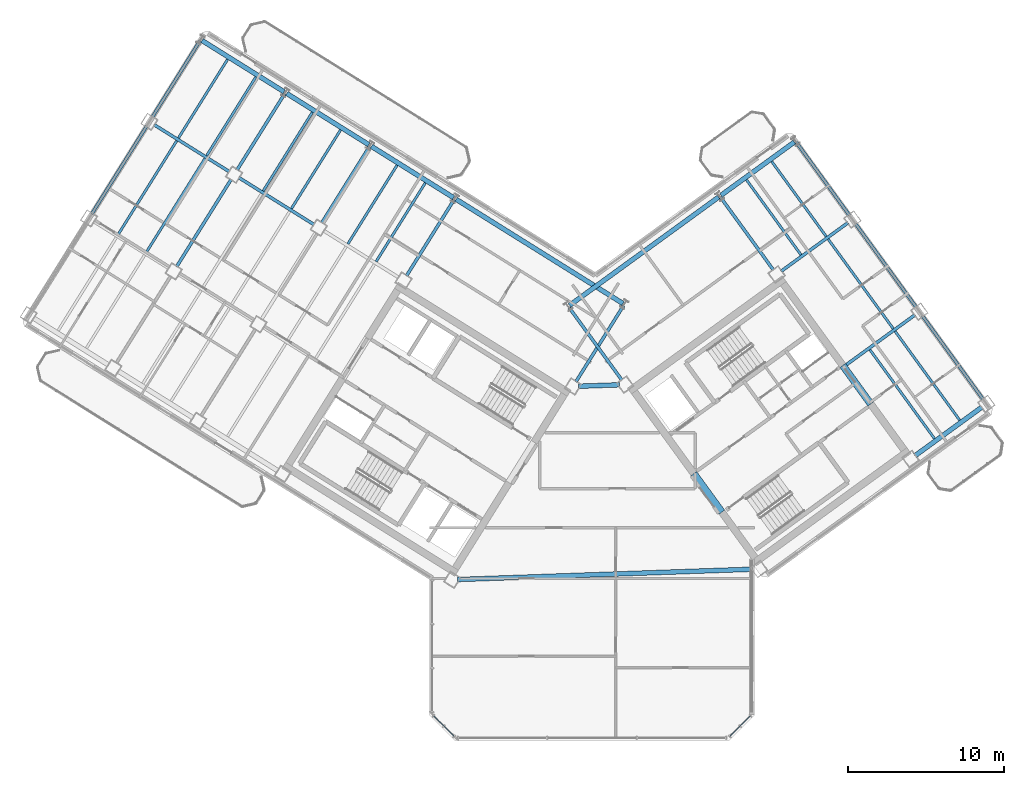
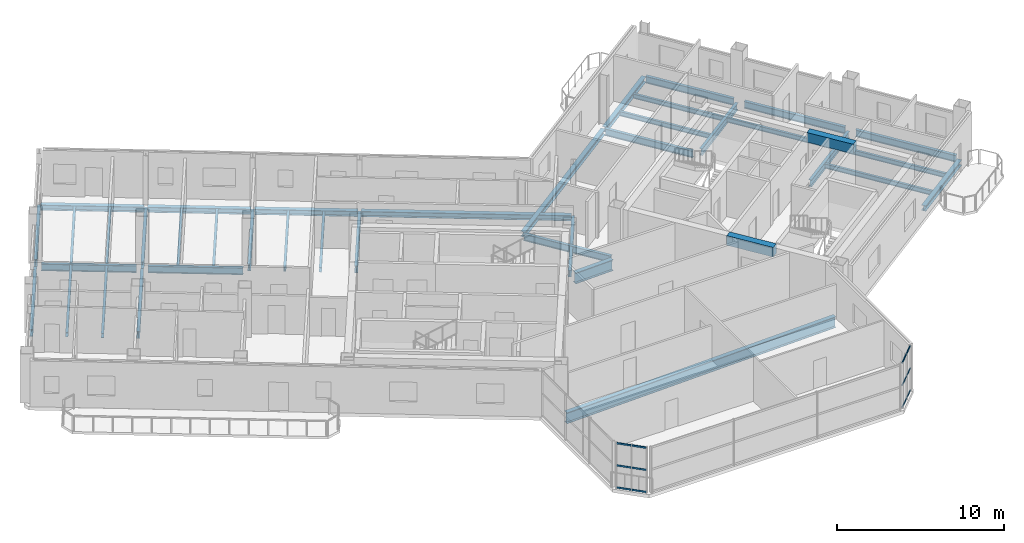
# One storey, part 7 of 21: 40 beams, 12 members, 2 elements without a shape of their own.
"""IFC4 building model written with IfcOpenShell, lengths in metres."""

from ifc_helpers import new_model, si_unit, direction, frame, origin, origin_2d, place, context, subcontext, project, spatial, rectangle, hollow_rectangle, i_section, extrude, source, transform, mapped, material, material_profile, profile_set, type_object, element, aggregate, save


model = new_model("IFC4")

# Units and contexts
model_context = context("Model", 3, precision=1e-05, world=origin(), true_north=direction((0.0, 1.0)))
body_context = subcontext(model_context, "Body", "Model", "MODEL_VIEW")
ifc_project = project(units=[si_unit("LENGTHUNIT", "METRE"), si_unit("AREAUNIT", "SQUARE_METRE"), si_unit("VOLUMEUNIT", "CUBIC_METRE"), si_unit("PLANEANGLEUNIT", "RADIAN"), si_unit("MASSUNIT", "GRAM", prefix="KILO")], contexts=[model_context])

# Site, building, storey
site_placement = place(None, origin())
site = spatial("IfcSite", under=ifc_project, at=site_placement, CompositionType="ELEMENT")
building_placement = place(site_placement, origin())
building = spatial("IfcBuilding", under=site, at=building_placement, Name="Tlacorven Tower", CompositionType="ELEMENT")
storey_placement = place(building_placement, frame((0.0, 0.0, 214.800048828125)))
storey = spatial("IfcBuildingStorey", under=building, at=storey_placement, Name="L54", CompositionType="ELEMENT", Elevation=214.800048828125)

# Beams
ifc_material_1 = material(Name="Concrete C60/75", Category="concrete")
ifc_material_profile_1 = material_profile(ifc_material_1, rectangle(XDim=0.449951171875, YDim=0.699951171875, at=origin_2d()), Name="RC 450X700")
ifc_profile_set_1 = profile_set([ifc_material_profile_1], Name="Concrete C60/75")
beam_type_1 = type_object("IfcBeamType", Name="BM-LNT-700", PredefinedType="LINTEL", material=ifc_profile_set_1)
shared_shape_1 = source(origin(), body_context, "Body", "SweptSolid", [
    extrude(rectangle(XDim=0.449951171875, YDim=0.699951171875, at=origin_2d()), origin(), (0.0, 0.0, 1.0), 3.050048828125),
])
for number, where, z_axis, x_axis, name in (
    (1, (50.318359375, 16.416015625, 3.0), (-0.587776590479, 0.80902328748, 0.0), (-0.80902328748, -0.587776590479, 0.0), "L54 E core coupling lintel beam E1"),
    (2, (59.856689453125, 23.345947265625, 3.0), (-0.587776590479, 0.80902328748, 0.0), (-0.80902328748, -0.587776590479, 0.0), "L54 E core coupling lintel beam E2"),
):
    element("IfcBeam", number, at=place(storey_placement, frame(where, z_axis=z_axis, x_axis=x_axis)), inside=storey, type_object=beam_type_1, Name=name, PredefinedType="LINTEL", context=body_context, shape_type="MappedRepresentation", body=[
        mapped(shared_shape_1, transform((0.0, 0.0, 0.0), scale=1.0)),
    ])
ifc_material_2 = material(Name="Steel S355J2", Category="steel")
ifc_material_profile_2 = material_profile(ifc_material_2, i_section(OverallWidth=0.300048828125, OverallDepth=0.800048828125, WebThickness=0.017578125, FlangeThickness=0.032958984375, at=origin_2d()), Name="HEB 800")
ifc_profile_set_2 = profile_set([ifc_material_profile_2], Name="Steel S355J2")
beam_type_2 = type_object("IfcBeamType", Name="BM-POD-800", PredefinedType="BEAM", material=ifc_profile_set_2)
shared_shape_2 = source(origin(), body_context, "Body", "SweptSolid", [
    extrude(i_section(OverallWidth=0.300048828125, OverallDepth=0.800048828125, WebThickness=0.017578125, FlangeThickness=0.032958984375, at=origin_2d()), origin(), (0.0, 0.0, 1.0), 2.642822265625),
])
beam_1_placement = place(storey_placement, frame((41.1328125, 24.480712890625, -0.650146484375), z_axis=(0.999393314814, 0.034828182629, 0.0), x_axis=(-0.034828182629, 0.999393314814, 0.0)))
element("IfcBeam", 3, at=beam_1_placement, inside=storey, type_object=beam_type_2, Name="L54 Knuckle Link Girder 1", PredefinedType="BEAM", context=body_context, shape_type="MappedRepresentation", body=[
    mapped(shared_shape_2, transform((0.0, 0.0, 0.0), scale=1.0)),
])
ifc_material_profile_3 = material_profile(ifc_material_2, i_section(OverallWidth=0.199951171875, OverallDepth=0.5, WebThickness=0.01025390625, FlangeThickness=0.01611328125, at=origin_2d()), Name="IPE 500")
ifc_profile_set_3 = profile_set([ifc_material_profile_3], Name="Steel S355J2")
beam_type_3 = type_object("IfcBeamType", Name="BM-TWR-500", PredefinedType="BEAM", material=ifc_profile_set_3)
shared_shape_3 = source(origin(), body_context, "Body", "SweptSolid", [
    extrude(i_section(OverallWidth=0.199951171875, OverallDepth=0.5, WebThickness=0.01025390625, FlangeThickness=0.01611328125, at=origin_2d()), origin(), (0.0, 0.0, 1.0), 5.7001953125),
])
for number, where, z_axis, x_axis, name in (
    (4, (24.20361328125, 34.828369140625, -0.5), (-0.848056048787, 0.529906537151, 0.0), (-0.529906537151, -0.848056048787, 0.0), "L54 beam BM-L54-WL2-4"),
    (5, (18.776123046875, 38.2197265625, -0.5), (-0.848056048787, 0.529906537151, 0.0), (-0.529906537151, -0.848056048787, 0.0), "L54 beam BM-L54-WL2-5"),
):
    element("IfcBeam", number, at=place(storey_placement, frame(where, z_axis=z_axis, x_axis=x_axis)), inside=storey, type_object=beam_type_3, Name=name, PredefinedType="BEAM", context=body_context, shape_type="MappedRepresentation", body=[
        mapped(shared_shape_3, transform((0.0, 0.0, 0.0), scale=1.0)),
    ])
shared_shape_4 = source(origin(), body_context, "Body", "SweptSolid", [
    extrude(i_section(OverallWidth=0.199951171875, OverallDepth=0.5, WebThickness=0.01025390625, FlangeThickness=0.01611328125, at=origin_2d()), origin(), (0.0, 0.0, 1.0), 5.75),
])
for number, where, z_axis, x_axis, name in (
    (6, (44.015380859375, 29.6416015625, -0.5), (-0.529884439831, -0.848069855864, 0.0), (0.848069855864, -0.529884439831, 0.0), "L54 beam BM-L54-WT1-1"),
    (7, (33.160400390625, 36.424560546875, -0.5), (-0.529884439831, -0.848069855864, 0.0), (0.848069855864, -0.529884439831, 0.0), "L54 beam BM-L54-WT3-1"),
    (8, (27.73291015625, 39.81591796875, -0.5), (-0.529934056882, -0.848038852504, 0.0), (0.848038852504, -0.529934056882, 0.0), "L54 beam BM-L54-WT4-1"),
    (9, (16.8779296875, 46.598876953125, -0.5), (-0.529934056882, -0.848038852504, 0.0), (0.848038852504, -0.529934056882, 0.0), "L54 beam BM-L54-WT6-1"),
    (10, (43.91796875, 24.8681640625, -0.5), (-0.587770208527, 0.809027924097, 0.0), (-0.809027924097, -0.587770208527, 0.0), "L54 beam BM-L54-ET1-2"),
    (11, (53.626220703125, 31.921630859375, -0.5), (-0.587770208527, 0.809027924097, 0.0), (-0.809027924097, -0.587770208527, 0.0), "L54 beam BM-L54-ET3-2"),
    (12, (58.480224609375, 35.4482421875, -0.5), (-0.587770208527, 0.809027924097, 0.0), (-0.809027924097, -0.587770208527, 0.0), "L54 beam BM-L54-ET4-3"),
):
    element("IfcBeam", number, at=place(storey_placement, frame(where, z_axis=z_axis, x_axis=x_axis)), inside=storey, type_object=beam_type_3, Name=name, PredefinedType="BEAM", context=body_context, shape_type="MappedRepresentation", body=[
        mapped(shared_shape_4, transform((0.0, 0.0, 0.0), scale=1.0)),
    ])
shared_shape_5 = source(origin(), body_context, "Body", "SweptSolid", [
    extrude(i_section(OverallWidth=0.199951171875, OverallDepth=0.5, WebThickness=0.01025390625, FlangeThickness=0.01611328125, at=origin_2d()), origin(), (0.0, 0.0, 1.0), 6.599853515625),
])
beam_2_placement = place(storey_placement, frame((13.4599609375, 41.12890625, -0.5), z_axis=(-0.529942412256, -0.848033631227, 0.0), x_axis=(0.848033631227, -0.529942412256, 0.0)))
element("IfcBeam", 13, at=beam_2_placement, inside=storey, type_object=beam_type_3, Name="L54 beam BM-L54-WT6-2", PredefinedType="BEAM", context=body_context, shape_type="MappedRepresentation", body=[
    mapped(shared_shape_5, transform((0.0, 0.0, 0.0), scale=1.0)),
])
shared_shape_6 = source(origin(), body_context, "Body", "SweptSolid", [
    extrude(i_section(OverallWidth=0.199951171875, OverallDepth=0.5, WebThickness=0.01025390625, FlangeThickness=0.01611328125, at=origin_2d()), origin(), (0.0, 0.0, 1.0), 6.60009765625),
])
for number, where, z_axis, x_axis, name in (
    (14, (18.887451171875, 37.737548828125, -0.5), (-0.529925788294, -0.848044019436, 0.0), (0.848044019436, -0.529925788294, 0.0), "L54 beam BM-L54-WT5-2"),
    (15, (67.06201171875, 23.63671875, -0.5), (-0.587780128583, 0.809020716943, 0.0), (-0.809020716943, -0.587780128583, 0.0), "L54 beam BM-L54-ET4-1"),
    (16, (62.771240234375, 29.54248046875, -0.5), (-0.587780128583, 0.809020716943, 0.0), (-0.809020716943, -0.587780128583, 0.0), "L54 beam BM-L54-ET4-2"),
):
    element("IfcBeam", number, at=place(storey_placement, frame(where, z_axis=z_axis, x_axis=x_axis)), inside=storey, type_object=beam_type_3, Name=name, PredefinedType="BEAM", context=body_context, shape_type="MappedRepresentation", body=[
        mapped(shared_shape_6, transform((0.0, 0.0, 0.0), scale=1.0)),
    ])
shared_shape_7 = source(origin(), body_context, "Body", "SweptSolid", [
    extrude(i_section(OverallWidth=0.199951171875, OverallDepth=0.5, WebThickness=0.01025390625, FlangeThickness=0.01611328125, at=origin_2d()), origin(), (0.0, 0.0, 1.0), 5.750244140625),
])
beam_3_placement = place(storey_placement, frame((22.305419921875, 43.20751953125, -0.5), z_axis=(-0.529914976044, -0.848050775699, 0.0), x_axis=(0.848050775699, -0.529914976044, 0.0)))
element("IfcBeam", 17, at=beam_3_placement, inside=storey, type_object=beam_type_3, Name="L54 beam BM-L54-WT5-1", PredefinedType="BEAM", context=body_context, shape_type="MappedRepresentation", body=[
    mapped(shared_shape_7, transform((0.0, 0.0, 0.0), scale=1.0)),
])
shared_shape_8 = source(origin(), body_context, "Body", "SweptSolid", [
    extrude(i_section(OverallWidth=0.199951171875, OverallDepth=0.5, WebThickness=0.01025390625, FlangeThickness=0.01611328125, at=origin_2d()), origin(), (0.0, 0.0, 1.0), 5.300048828125),
])
beam_4_placement = place(storey_placement, frame((54.114990234375, 31.84423828125, -0.5), z_axis=(0.809022830186, 0.587777219904, 0.0), x_axis=(-0.587777219904, 0.809022830186, 0.0)))
element("IfcBeam", 18, at=beam_4_placement, inside=storey, type_object=beam_type_3, Name="L54 beam BM-L54-EL3-3", PredefinedType="BEAM", context=body_context, shape_type="MappedRepresentation", body=[
    mapped(shared_shape_8, transform((0.0, 0.0, 0.0), scale=1.0)),
])
shared_shape_9 = source(origin(), body_context, "Body", "SweptSolid", [
    extrude(i_section(OverallWidth=0.199951171875, OverallDepth=0.5, WebThickness=0.01025390625, FlangeThickness=0.01611328125, at=origin_2d()), origin(), (0.0, 0.0, 1.0), 5.6103515625),
])
beam_5_placement = place(storey_placement, frame((58.155029296875, 25.756103515625, -0.5), z_axis=(0.809020142627, 0.587780919071, 0.0), x_axis=(-0.587780919071, 0.809020142627, 0.0)))
element("IfcBeam", 19, at=beam_5_placement, inside=storey, type_object=beam_type_3, Name="L54 beam BM-L54-EL2-3", PredefinedType="BEAM", context=body_context, shape_type="MappedRepresentation", body=[
    mapped(shared_shape_9, transform((0.0, 0.0, 0.0), scale=1.0)),
])
shared_shape_10 = source(origin(), body_context, "Body", "SweptSolid", [
    extrude(i_section(OverallWidth=0.300048828125, OverallDepth=0.800048828125, WebThickness=0.017578125, FlangeThickness=0.032958984375, at=origin_2d()), origin(), (0.0, 0.0, 1.0), 18.97119140625),
])
beam_6_placement = place(storey_placement, frame((33.39599609375, 12.09912109375, -0.650146484375), z_axis=(0.999390787537, 0.034900627304, 0.0), x_axis=(-0.034900627304, 0.999390787537, 0.0)))
element("IfcBeam", 20, at=beam_6_placement, inside=storey, type_object=beam_type_2, Name="L54 Knuckle Link Girder 2", PredefinedType="BEAM", context=body_context, shape_type="MappedRepresentation", body=[
    mapped(shared_shape_10, transform((0.0, 0.0, 0.0), scale=1.0)),
])
ifc_material_profile_4 = material_profile(ifc_material_2, i_section(OverallWidth=0.159912109375, OverallDepth=0.330078125, WebThickness=0.007568359375, FlangeThickness=0.011474609375, at=origin_2d()), Name="IPE 330")
ifc_profile_set_4 = profile_set([ifc_material_profile_4], Name="Steel S355J2")
beam_type_4 = type_object("IfcBeamType", Name="BM-JST-330", PredefinedType="JOIST", material=ifc_profile_set_4)
shared_shape_11 = source(origin(), body_context, "Body", "SweptSolid", [
    extrude(i_section(OverallWidth=0.159912109375, OverallDepth=0.330078125, WebThickness=0.007568359375, FlangeThickness=0.011474609375, at=origin_2d()), origin(), (0.0, 0.0, 1.0), 7.0400390625),
])
beam_7_placement = place(storey_placement, frame((63.9404296875, 21.127685546875, -0.4150390625), z_axis=(-0.587773661987, 0.809025415098, 0.0), x_axis=(-0.809025415098, -0.587773661987, 0.0)))
element("IfcBeam", 21, at=beam_7_placement, inside=storey, type_object=beam_type_4, Name="L54 beam BM-L54-EJ3-1-1", PredefinedType="JOIST", context=body_context, shape_type="MappedRepresentation", body=[
    mapped(shared_shape_11, transform((0.0, 0.0, 0.0), scale=1.0)),
])
shared_shape_12 = source(origin(), body_context, "Body", "SweptSolid", [
    extrude(i_section(OverallWidth=0.159912109375, OverallDepth=0.330078125, WebThickness=0.007568359375, FlangeThickness=0.011474609375, at=origin_2d()), origin(), (0.0, 0.0, 1.0), 5.940185546875),
])
for number, where, z_axis, x_axis, name in (
    (22, (29.512939453125, 38.638916015625, -0.4150390625), (-0.529902882565, -0.848058332339, 0.0), (0.848058332339, -0.529902882565, 0.0), "L54 beam BM-L54-WJ3-1-2"),
    (23, (25.894775390625, 40.899658203125, -0.4150390625), (-0.529950911506, -0.848028319924, 0.0), (0.848028319924, -0.529950911506, 0.0), "L54 beam BM-L54-WJ4-1-1"),
    (24, (18.657958984375, 45.421875, -0.4150390625), (-0.529902882565, -0.848058332339, 0.0), (0.848058332339, -0.529902882565, 0.0), "L54 beam BM-L54-WJ5-1-2"),
    (25, (55.38818359375, 32.89892578125, -0.4150390625), (-0.587778174144, 0.809022136903, 0.0), (-0.809022136903, -0.587778174144, 0.0), "L54 beam BM-L54-EJ3-3-1"),
    (26, (57.00634765625, 34.074462890625, -0.4150390625), (-0.587778174144, 0.809022136903, 0.0), (-0.809022136903, -0.587778174144, 0.0), "L54 beam BM-L54-EJ3-3-2"),
):
    element("IfcBeam", number, at=place(storey_placement, frame(where, z_axis=z_axis, x_axis=x_axis)), inside=storey, type_object=beam_type_4, Name=name, PredefinedType="JOIST", context=body_context, shape_type="MappedRepresentation", body=[
        mapped(shared_shape_12, transform((0.0, 0.0, 0.0), scale=1.0)),
    ])
shared_shape_13 = source(origin(), body_context, "Body", "SweptSolid", [
    extrude(i_section(OverallWidth=0.159912109375, OverallDepth=0.330078125, WebThickness=0.007568359375, FlangeThickness=0.011474609375, at=origin_2d()), origin(), (0.0, 0.0, 1.0), 7.090087890625),
])
for number, where, z_axis, x_axis, name in (
    (27, (17.208251953125, 39.07568359375, -0.4150390625), (-0.529937035031, -0.848036991471, 0.0), (0.848036991471, -0.529937035031, 0.0), "L54 beam BM-L54-WJ5-2-1"),
    (28, (15.39892578125, 40.206298828125, -0.4150390625), (-0.529912270669, -0.84805246618, 0.0), (0.84805246618, -0.529912270669, 0.0), "L54 beam BM-L54-WJ5-2-2"),
    (29, (61.297119140625, 28.168701171875, -0.4150390625), (-0.587782622309, 0.809018905164, 0.0), (-0.809018905164, -0.587782622309, 0.0), "L54 beam BM-L54-EJ3-2-2"),
):
    element("IfcBeam", number, at=place(storey_placement, frame(where, z_axis=z_axis, x_axis=x_axis)), inside=storey, type_object=beam_type_4, Name=name, PredefinedType="JOIST", context=body_context, shape_type="MappedRepresentation", body=[
        mapped(shared_shape_13, transform((0.0, 0.0, 0.0), scale=1.0)),
    ])
shared_shape_14 = source(origin(), body_context, "Body", "SweptSolid", [
    extrude(i_section(OverallWidth=0.159912109375, OverallDepth=0.330078125, WebThickness=0.007568359375, FlangeThickness=0.011474609375, at=origin_2d()), origin(), (0.0, 0.0, 1.0), 5.93994140625),
])
for number, where, z_axis, x_axis, name in (
    (30, (31.322265625, 37.50830078125, -0.4150390625), (-0.529921352973, -0.848046790963, 0.0), (0.848046790963, -0.529921352973, 0.0), "L54 beam BM-L54-WJ3-1-1"),
    (31, (24.08544921875, 42.0302734375, -0.4150390625), (-0.529921352973, -0.848046790963, 0.0), (0.848046790963, -0.529921352973, 0.0), "L54 beam BM-L54-WJ4-1-2"),
    (32, (20.467041015625, 44.291259765625, -0.4150390625), (-0.529921352973, -0.848046790963, 0.0), (0.848046790963, -0.529921352973, 0.0), "L54 beam BM-L54-WJ5-1-1"),
):
    element("IfcBeam", number, at=place(storey_placement, frame(where, z_axis=z_axis, x_axis=x_axis)), inside=storey, type_object=beam_type_4, Name=name, PredefinedType="JOIST", context=body_context, shape_type="MappedRepresentation", body=[
        mapped(shared_shape_14, transform((0.0, 0.0, 0.0), scale=1.0)),
    ])
shared_shape_15 = source(origin(), body_context, "Body", "SweptSolid", [
    extrude(i_section(OverallWidth=0.159912109375, OverallDepth=0.330078125, WebThickness=0.007568359375, FlangeThickness=0.011474609375, at=origin_2d()), origin(), (0.0, 0.0, 1.0), 7.039794921875),
])
beam_8_placement = place(storey_placement, frame((65.55859375, 22.303466796875, -0.4150390625), z_axis=(-0.587790152999, 0.809013433781, 0.0), x_axis=(-0.809013433781, -0.587790152999, 0.0)))
element("IfcBeam", 33, at=beam_8_placement, inside=storey, type_object=beam_type_4, Name="L54 beam BM-L54-EJ3-1-2", PredefinedType="JOIST", context=body_context, shape_type="MappedRepresentation", body=[
    mapped(shared_shape_15, transform((0.0, 0.0, 0.0), scale=1.0)),
])
ifc_material_profile_5 = material_profile(ifc_material_2, i_section(OverallWidth=0.300048828125, OverallDepth=0.389892578125, WebThickness=0.010986328125, FlangeThickness=0.01904296875, at=origin_2d()), Name="HEA 400")
ifc_profile_set_5 = profile_set([ifc_material_profile_5], Name="Steel S355J2")
beam_type_5 = type_object("IfcBeamType", Name="BM-SPN-400", PredefinedType="SPANDREL", material=ifc_profile_set_5)
shared_shape_16 = source(origin(), body_context, "Body", "SweptSolid", [
    extrude(i_section(OverallWidth=0.300048828125, OverallDepth=0.389892578125, WebThickness=0.010986328125, FlangeThickness=0.01904296875, at=origin_2d()), origin(), (0.0, 0.0, 1.0), 12.599853515625),
])
beam_9_placement = place(storey_placement, frame((43.983642578125, 29.779296875, -0.445068359375), z_axis=(-0.848045108756, 0.529924045043, 0.0), x_axis=(-0.529924045043, -0.848045108756, 0.0)))
element("IfcBeam", 34, at=beam_9_placement, inside=storey, type_object=beam_type_5, Name="L54 beam BM-L54-WL1-1", PredefinedType="SPANDREL", context=body_context, shape_type="MappedRepresentation", body=[
    mapped(shared_shape_16, transform((0.0, 0.0, 0.0), scale=1.0)),
])
shared_shape_17 = source(origin(), body_context, "Body", "SweptSolid", [
    extrude(i_section(OverallWidth=0.300048828125, OverallDepth=0.389892578125, WebThickness=0.010986328125, FlangeThickness=0.01904296875, at=origin_2d()), origin(), (0.0, 0.0, 1.0), 6.199951171875),
])
beam_10_placement = place(storey_placement, frame((33.128662109375, 36.562255859375, -0.445068359375), z_axis=(-0.848051394107, 0.529913986372, 0.0), x_axis=(-0.529913986372, -0.848051394107, 0.0)))
element("IfcBeam", 35, at=beam_10_placement, inside=storey, type_object=beam_type_5, Name="L54 beam BM-L54-WL1-3", PredefinedType="SPANDREL", context=body_context, shape_type="MappedRepresentation", body=[
    mapped(shared_shape_17, transform((0.0, 0.0, 0.0), scale=1.0)),
])
shared_shape_18 = source(origin(), body_context, "Body", "SweptSolid", [
    extrude(i_section(OverallWidth=0.300048828125, OverallDepth=0.389892578125, WebThickness=0.010986328125, FlangeThickness=0.01904296875, at=origin_2d()), origin(), (0.0, 0.0, 1.0), 6.2001953125),
])
for number, where, z_axis, x_axis, name in (
    (36, (27.701171875, 39.95361328125, -0.445068359375), (-0.84804475579, 0.5299246099, 0.0), (-0.5299246099, -0.84804475579, 0.0), "L54 beam BM-L54-WL1-4"),
    (37, (22.273681640625, 43.34521484375, -0.445068359375), (-0.848062451332, 0.529896290457, 0.0), (-0.529896290457, -0.848062451332, 0.0), "L54 beam BM-L54-WL1-5"),
):
    element("IfcBeam", number, at=place(storey_placement, frame(where, z_axis=z_axis, x_axis=x_axis)), inside=storey, type_object=beam_type_5, Name=name, PredefinedType="SPANDREL", context=body_context, shape_type="MappedRepresentation", body=[
        mapped(shared_shape_18, transform((0.0, 0.0, 0.0), scale=1.0)),
    ])
shared_shape_19 = source(origin(), body_context, "Body", "SweptSolid", [
    extrude(i_section(OverallWidth=0.300048828125, OverallDepth=0.389892578125, WebThickness=0.010986328125, FlangeThickness=0.01904296875, at=origin_2d()), origin(), (0.0, 0.0, 1.0), 5.300048828125),
])
beam_11_placement = place(storey_placement, frame((62.69677734375, 20.032470703125, -0.445068359375), z_axis=(0.809022830186, 0.587777219904, 0.0), x_axis=(-0.587777219904, 0.809022830186, 0.0)))
element("IfcBeam", 38, at=beam_11_placement, inside=storey, type_object=beam_type_5, Name="L54 beam BM-L54-EL1-3", PredefinedType="SPANDREL", context=body_context, shape_type="MappedRepresentation", body=[
    mapped(shared_shape_19, transform((0.0, 0.0, 0.0), scale=1.0)),
])
shared_shape_20 = source(origin(), body_context, "Body", "SweptSolid", [
    extrude(i_section(OverallWidth=0.300048828125, OverallDepth=0.389892578125, WebThickness=0.010986328125, FlangeThickness=0.01904296875, at=origin_2d()), origin(), (0.0, 0.0, 1.0), 11.800048828125),
])
beam_12_placement = place(storey_placement, frame((40.560302734375, 29.65966796875, -0.445068359375), z_axis=(0.80900977213, 0.587795192732, 0.0), x_axis=(-0.587795192732, 0.80900977213, 0.0)))
element("IfcBeam", 39, at=beam_12_placement, inside=storey, type_object=beam_type_5, Name="L54 beam BM-L54-EL4-1", PredefinedType="SPANDREL", context=body_context, shape_type="MappedRepresentation", body=[
    mapped(shared_shape_20, transform((0.0, 0.0, 0.0), scale=1.0)),
])
shared_shape_21 = source(origin(), body_context, "Body", "SweptSolid", [
    extrude(i_section(OverallWidth=0.300048828125, OverallDepth=0.389892578125, WebThickness=0.010986328125, FlangeThickness=0.01904296875, at=origin_2d()), origin(), (0.0, 0.0, 1.0), 5.800048828125),
])
beam_13_placement = place(storey_placement, frame((50.2685546875, 36.713134765625, -0.445068359375), z_axis=(0.809019944521, 0.587781191743, 0.0), x_axis=(-0.587781191743, 0.809019944521, 0.0)))
element("IfcBeam", 40, at=beam_13_placement, inside=storey, type_object=beam_type_5, Name="L54 beam BM-L54-EL4-3", PredefinedType="SPANDREL", context=body_context, shape_type="MappedRepresentation", body=[
    mapped(shared_shape_21, transform((0.0, 0.0, 0.0), scale=1.0)),
])

# Curtain wall, members
ifc_material_3 = material(Name="Dark solar low-E double glazing in aluminium frame", Category="aluminium")
curtain_wall_type = type_object("IfcCurtainWallType", Name="CW-TWR-HIGH", PredefinedType="USERDEFINED", material=ifc_material_3)
curtain_wall_1_placement = place(storey_placement, origin())
curtain_wall_1 = element("IfcCurtainWall", 41, at=curtain_wall_1_placement, inside=storey, type_object=curtain_wall_type, Name="L54 CW-TWR-HIGH Curtain Wall 244", ObjectType="UNITISED CURTAIN WALL", PredefinedType="USERDEFINED")
ifc_material_4 = material(Name="Aluminium 6063-T6 anodised", Category="aluminium")
ifc_material_profile_6 = material_profile(ifc_material_4, hollow_rectangle(XDim=0.054931640625, YDim=0.1201171875, WallThickness=0.00341796875, at=origin_2d()), Name="ALU TRANSOM 55X120")
ifc_profile_set_6 = profile_set([ifc_material_profile_6], Name="Aluminium 6063-T6 anodised")
member_type = type_object("IfcMemberType", Name="CWT-03", PredefinedType="USERDEFINED", material=ifc_profile_set_6)
shared_shape_22 = source(origin(), body_context, "Body", "SweptSolid", [
    extrude(hollow_rectangle(XDim=0.054931640625, YDim=0.1201171875, WallThickness=0.00341796875, at=origin_2d()), origin(), (0.0, 0.0, 1.0), 0.899169921875),
])
member_1_placement = place(storey_placement, frame((52.13525390625, 3.361572265625, 0.06005859375), z_axis=(-0.707106781187, -0.707106781187, 0.0), x_axis=(0.707106781187, -0.707106781187, 0.0)))
member_1 = element("IfcMember", 42, at=member_1_placement, type_object=member_type, Name="CW-L54-244 Transom 1", ObjectType="TRANSOM", PredefinedType="USERDEFINED", context=body_context, shape_type="MappedRepresentation", body=[
    mapped(shared_shape_22, transform((0.0, 0.0, 0.0), scale=1.0)),
])
member_2_placement = place(storey_placement, frame((52.13525390625, 3.361572265625, 1.675048828125), z_axis=(-0.707106781187, -0.707106781187, 0.0), x_axis=(0.707106781187, -0.707106781187, 0.0)))
member_2 = element("IfcMember", 43, at=member_2_placement, type_object=member_type, Name="CW-L54-244 Transom 2", ObjectType="TRANSOM", PredefinedType="USERDEFINED", context=body_context, shape_type="MappedRepresentation", body=[
    mapped(shared_shape_22, transform((0.0, 0.0, 0.0), scale=1.0)),
])
member_3_placement = place(storey_placement, frame((52.13525390625, 3.361572265625, 3.2900390625), z_axis=(-0.707106781187, -0.707106781187, 0.0), x_axis=(0.707106781187, -0.707106781187, 0.0)))
member_3 = element("IfcMember", 44, at=member_3_placement, type_object=member_type, Name="CW-L54-244 Transom 3", ObjectType="TRANSOM", PredefinedType="USERDEFINED", context=body_context, shape_type="MappedRepresentation", body=[
    mapped(shared_shape_22, transform((0.0, 0.0, 0.0), scale=1.0)),
])
member_4_placement = place(storey_placement, frame((51.47412109375, 2.700439453125, 0.06005859375), z_axis=(-0.707106781187, -0.707106781187, 0.0), x_axis=(0.707106781187, -0.707106781187, 0.0)))
member_4 = element("IfcMember", 45, at=member_4_placement, type_object=member_type, Name="CW-L54-244 Transom 4", ObjectType="TRANSOM", PredefinedType="USERDEFINED", context=body_context, shape_type="MappedRepresentation", body=[
    mapped(shared_shape_22, transform((0.0, 0.0, 0.0), scale=1.0)),
])
member_5_placement = place(storey_placement, frame((51.47412109375, 2.700439453125, 1.675048828125), z_axis=(-0.707106781187, -0.707106781187, 0.0), x_axis=(0.707106781187, -0.707106781187, 0.0)))
member_5 = element("IfcMember", 46, at=member_5_placement, type_object=member_type, Name="CW-L54-244 Transom 5", ObjectType="TRANSOM", PredefinedType="USERDEFINED", context=body_context, shape_type="MappedRepresentation", body=[
    mapped(shared_shape_22, transform((0.0, 0.0, 0.0), scale=1.0)),
])
member_6_placement = place(storey_placement, frame((51.47412109375, 2.700439453125, 3.2900390625), z_axis=(-0.707106781187, -0.707106781187, 0.0), x_axis=(0.707106781187, -0.707106781187, 0.0)))
member_6 = element("IfcMember", 47, at=member_6_placement, type_object=member_type, Name="CW-L54-244 Transom 6", ObjectType="TRANSOM", PredefinedType="USERDEFINED", context=body_context, shape_type="MappedRepresentation", body=[
    mapped(shared_shape_22, transform((0.0, 0.0, 0.0), scale=1.0)),
])
aggregate(curtain_wall_1, [member_1, member_2, member_3, member_4, member_5, member_6])

curtain_wall_2_placement = place(storey_placement, origin())
curtain_wall_2 = element("IfcCurtainWall", 48, at=curtain_wall_2_placement, inside=storey, type_object=curtain_wall_type, Name="L54 CW-TWR-HIGH Curtain Wall 246", ObjectType="UNITISED CURTAIN WALL", PredefinedType="USERDEFINED")
member_7_placement = place(storey_placement, frame((33.16162109375, 2.064697265625, 0.06005859375), z_axis=(-0.707106781187, 0.707106781187, 0.0), x_axis=(-0.707106781187, -0.707106781187, 0.0)))
member_7 = element("IfcMember", 49, at=member_7_placement, type_object=member_type, Name="CW-L54-246 Transom 1", ObjectType="TRANSOM", PredefinedType="USERDEFINED", context=body_context, shape_type="MappedRepresentation", body=[
    mapped(shared_shape_22, transform((0.0, 0.0, 0.0), scale=1.0)),
])
member_8_placement = place(storey_placement, frame((33.16162109375, 2.064697265625, 1.675048828125), z_axis=(-0.707106781187, 0.707106781187, 0.0), x_axis=(-0.707106781187, -0.707106781187, 0.0)))
member_8 = element("IfcMember", 50, at=member_8_placement, type_object=member_type, Name="CW-L54-246 Transom 2", ObjectType="TRANSOM", PredefinedType="USERDEFINED", context=body_context, shape_type="MappedRepresentation", body=[
    mapped(shared_shape_22, transform((0.0, 0.0, 0.0), scale=1.0)),
])
member_9_placement = place(storey_placement, frame((33.16162109375, 2.064697265625, 3.2900390625), z_axis=(-0.707106781187, 0.707106781187, 0.0), x_axis=(-0.707106781187, -0.707106781187, 0.0)))
member_9 = element("IfcMember", 51, at=member_9_placement, type_object=member_type, Name="CW-L54-246 Transom 3", ObjectType="TRANSOM", PredefinedType="USERDEFINED", context=body_context, shape_type="MappedRepresentation", body=[
    mapped(shared_shape_22, transform((0.0, 0.0, 0.0), scale=1.0)),
])
member_10_placement = place(storey_placement, frame((32.50048828125, 2.725830078125, 0.06005859375), z_axis=(-0.707106781187, 0.707106781187, 0.0), x_axis=(-0.707106781187, -0.707106781187, 0.0)))
member_10 = element("IfcMember", 52, at=member_10_placement, type_object=member_type, Name="CW-L54-246 Transom 4", ObjectType="TRANSOM", PredefinedType="USERDEFINED", context=body_context, shape_type="MappedRepresentation", body=[
    mapped(shared_shape_22, transform((0.0, 0.0, 0.0), scale=1.0)),
])
member_11_placement = place(storey_placement, frame((32.50048828125, 2.725830078125, 1.675048828125), z_axis=(-0.707106781187, 0.707106781187, 0.0), x_axis=(-0.707106781187, -0.707106781187, 0.0)))
member_11 = element("IfcMember", 53, at=member_11_placement, type_object=member_type, Name="CW-L54-246 Transom 5", ObjectType="TRANSOM", PredefinedType="USERDEFINED", context=body_context, shape_type="MappedRepresentation", body=[
    mapped(shared_shape_22, transform((0.0, 0.0, 0.0), scale=1.0)),
])
member_12_placement = place(storey_placement, frame((32.50048828125, 2.725830078125, 3.2900390625), z_axis=(-0.707106781187, 0.707106781187, 0.0), x_axis=(-0.707106781187, -0.707106781187, 0.0)))
member_12 = element("IfcMember", 54, at=member_12_placement, type_object=member_type, Name="CW-L54-246 Transom 6", ObjectType="TRANSOM", PredefinedType="USERDEFINED", context=body_context, shape_type="MappedRepresentation", body=[
    mapped(shared_shape_22, transform((0.0, 0.0, 0.0), scale=1.0)),
])
aggregate(curtain_wall_2, [member_7, member_8, member_9, member_10, member_11, member_12])

save(model, "model.ifc")
